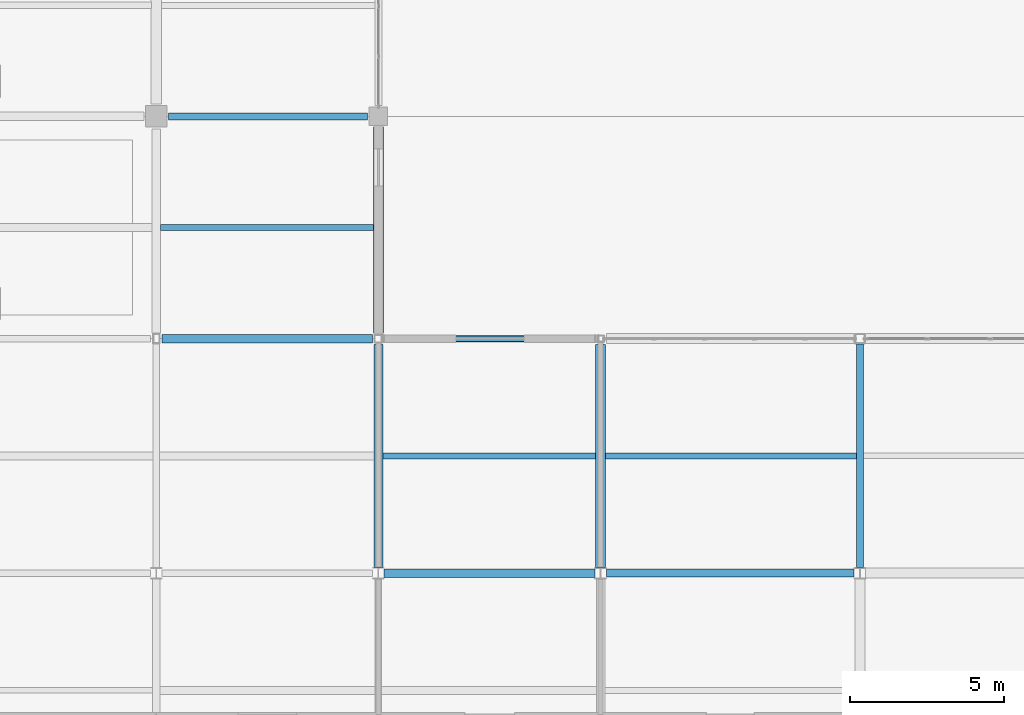
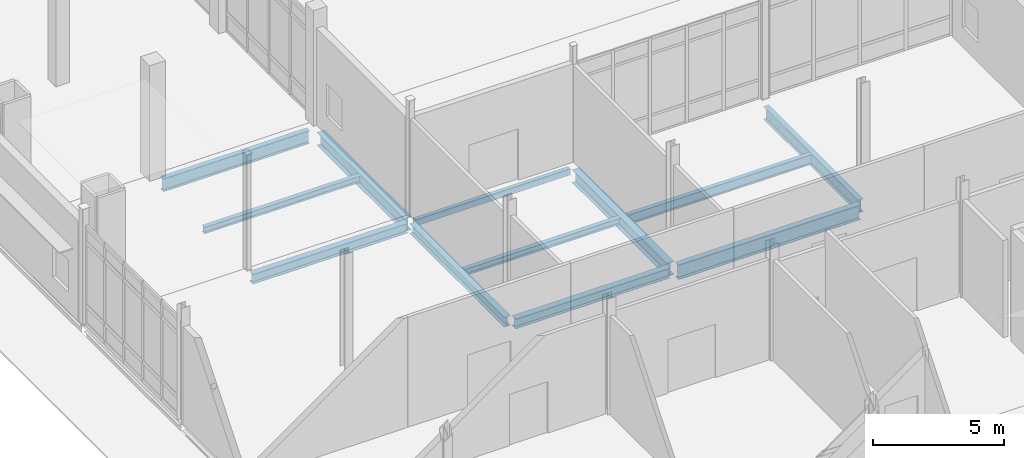
# One storey, part 69 of 229: 12 beams.
"""IFC4 building model written with IfcOpenShell, lengths in metres."""

from ifc_helpers import new_model, si_unit, direction, frame, origin, origin_2d, place, context, subcontext, project, spatial, hollow_rectangle, i_section, extrude, material, material_profile, profile_set, type_object, element, save


model = new_model("IFC4")

# Units and contexts
model_context = context("Model", 3, precision=1e-05, world=origin(), true_north=direction((0.0, 1.0)))
body_context = subcontext(model_context, "Body", "Model", "MODEL_VIEW")
ifc_project = project(units=[si_unit("LENGTHUNIT", "METRE"), si_unit("AREAUNIT", "SQUARE_METRE"), si_unit("VOLUMEUNIT", "CUBIC_METRE"), si_unit("PLANEANGLEUNIT", "RADIAN"), si_unit("MASSUNIT", "GRAM", prefix="KILO")], contexts=[model_context])

# Site, building, storey
site_placement = place(None, origin())
site = spatial("IfcSite", under=ifc_project, at=site_placement, CompositionType="ELEMENT")
building_placement = place(site_placement, origin())
building = spatial("IfcBuilding", under=site, at=building_placement, Name="Calvrana Isthmian Art Gallery", CompositionType="ELEMENT")
storey_placement = place(building_placement, origin())
storey = spatial("IfcBuildingStorey", under=building, at=storey_placement, Name="L00", CompositionType="ELEMENT", Elevation=0.0)

# Beams
ifc_material_1 = material(Name="Steel ASTM A992 Gr 50", Category="steel")
ifc_material_profile_1 = material_profile(ifc_material_1, i_section(OverallWidth=0.279052734375, OverallDepth=0.4619140625, WebThickness=0.0107421875, FlangeThickness=0.017333984375, FilletRadius=0.02001953125, at=origin_2d()), Name="W18X76")
ifc_profile_set_1 = profile_set([ifc_material_profile_1], Name="Steel ASTM A992 Gr 50")
beam_type_1 = type_object("IfcBeamType", Name="BM-G-W18X76", PredefinedType="BEAM", material=ifc_profile_set_1)
beam_1_placement = place(storey_placement, frame((14.58642578125, 62.0, -0.51611328125), z_axis=(1.0, 0.0, 0.0), x_axis=(0.0, 1.0, 0.0)))
element("IfcBeam", 1, at=beam_1_placement, inside=storey, type_object=beam_type_1, Name="Girder X L00 03-04/I", PredefinedType="BEAM", context=body_context, shape_type="SweptSolid", body=[
    extrude(i_section(OverallWidth=0.279052734375, OverallDepth=0.4619140625, WebThickness=0.0107421875, FlangeThickness=0.017333984375, FilletRadius=0.02001953125, at=origin_2d()), origin(), (0.0, 0.0, 1.0), 6.828125),
])
beam_2_placement = place(storey_placement, frame((7.384033203125, 69.60009765625, -0.51611328125), z_axis=(1.0, 0.0, 0.0), x_axis=(0.0, 1.0, 0.0)))
element("IfcBeam", 2, at=beam_2_placement, inside=storey, type_object=beam_type_1, Name="Girder X L00 02-03/J", PredefinedType="BEAM", context=body_context, shape_type="SweptSolid", body=[
    extrude(i_section(OverallWidth=0.279052734375, OverallDepth=0.4619140625, WebThickness=0.0107421875, FlangeThickness=0.017333984375, FilletRadius=0.02001953125, at=origin_2d()), origin(), (0.0, 0.0, 1.0), 6.829345703125),
])
beam_3_placement = place(storey_placement, frame((14.39990234375, 62.18408203125, -0.51611328125), z_axis=(0.0, 1.0, 0.0), x_axis=(-1.0, 0.0, 0.0)))
element("IfcBeam", 3, at=beam_3_placement, inside=storey, type_object=beam_type_1, Name="Girder Y L00 03/I-J", PredefinedType="BEAM", context=body_context, shape_type="SweptSolid", body=[
    extrude(i_section(OverallWidth=0.279052734375, OverallDepth=0.4619140625, WebThickness=0.0107421875, FlangeThickness=0.017333984375, FilletRadius=0.02001953125, at=origin_2d()), origin(), (0.0, 0.0, 1.0), 7.2294921875),
])
ifc_material_profile_2 = material_profile(ifc_material_1, i_section(OverallWidth=0.324951171875, OverallDepth=0.612060546875, WebThickness=0.0126953125, FlangeThickness=0.01904296875, FilletRadius=0.02197265625, at=origin_2d()), Name="W24X104")
ifc_profile_set_2 = profile_set([ifc_material_profile_2], Name="Steel ASTM A992 Gr 50")
beam_type_2 = type_object("IfcBeamType", Name="BM-G-W24X104", PredefinedType="BEAM", material=ifc_profile_set_2)
beam_4_placement = place(storey_placement, frame((14.39990234375, 69.78662109375, -0.591064453125), z_axis=(0.0, 1.0, 0.0), x_axis=(-1.0, 0.0, 0.0)))
element("IfcBeam", 4, at=beam_4_placement, inside=storey, type_object=beam_type_2, Name="Girder Y L00 03/J-K", PredefinedType="BEAM", context=body_context, shape_type="SweptSolid", body=[
    extrude(i_section(OverallWidth=0.324951171875, OverallDepth=0.612060546875, WebThickness=0.0126953125, FlangeThickness=0.01904296875, FilletRadius=0.02197265625, at=origin_2d()), origin(), (0.0, 0.0, 1.0), 6.663330078125),
])
beam_5_placement = place(storey_placement, frame((21.60009765625, 62.181396484375, -0.591064453125), z_axis=(0.0, 1.0, 0.0), x_axis=(-1.0, 0.0, 0.0)))
element("IfcBeam", 5, at=beam_5_placement, inside=storey, type_object=beam_type_2, Name="Girder Y L00 04/I-J", PredefinedType="BEAM", context=body_context, shape_type="SweptSolid", body=[
    extrude(i_section(OverallWidth=0.324951171875, OverallDepth=0.612060546875, WebThickness=0.0126953125, FlangeThickness=0.01904296875, FilletRadius=0.02197265625, at=origin_2d()), origin(), (0.0, 0.0, 1.0), 7.234619140625),
])
ifc_material_profile_3 = material_profile(ifc_material_1, i_section(OverallWidth=0.22802734375, OverallDepth=0.60693359375, WebThickness=0.01123046875, FlangeThickness=0.017333984375, FilletRadius=0.02197265625, at=origin_2d()), Name="W24X76")
ifc_profile_set_3 = profile_set([ifc_material_profile_3], Name="Steel ASTM A992 Gr 50")
beam_type_3 = type_object("IfcBeamType", Name="BM-G-W24X76", PredefinedType="BEAM", material=ifc_profile_set_3)
beam_6_placement = place(storey_placement, frame((7.60009765625, 76.800048828125, -0.58837890625), z_axis=(1.0, 0.0, 0.0), x_axis=(0.0, 1.0, 0.0)))
element("IfcBeam", 6, at=beam_6_placement, inside=storey, type_object=beam_type_3, Name="Girder X L00 02-03/K", PredefinedType="BEAM", context=body_context, shape_type="SweptSolid", body=[
    extrude(i_section(OverallWidth=0.22802734375, OverallDepth=0.60693359375, WebThickness=0.01123046875, FlangeThickness=0.017333984375, FilletRadius=0.02197265625, at=origin_2d()), origin(), (0.0, 0.0, 1.0), 6.449951171875),
])
beam_7_placement = place(storey_placement, frame((30.0, 62.177978515625, -0.58837890625), z_axis=(0.0, 1.0, 0.0), x_axis=(-1.0, 0.0, 0.0)))
element("IfcBeam", 7, at=beam_7_placement, inside=storey, type_object=beam_type_3, Name="Girder Y L00 05/I-J", PredefinedType="BEAM", context=body_context, shape_type="SweptSolid", body=[
    extrude(i_section(OverallWidth=0.22802734375, OverallDepth=0.60693359375, WebThickness=0.01123046875, FlangeThickness=0.017333984375, FilletRadius=0.02197265625, at=origin_2d()), origin(), (0.0, 0.0, 1.0), 7.240478515625),
])
ifc_material_profile_4 = material_profile(ifc_material_1, i_section(OverallWidth=0.257080078125, OverallDepth=0.693115234375, WebThickness=0.014404296875, FlangeThickness=0.023681640625, FilletRadius=0.02392578125, at=origin_2d()), Name="W27X114")
ifc_profile_set_4 = profile_set([ifc_material_profile_4], Name="Steel ASTM A992 Gr 50")
beam_type_4 = type_object("IfcBeamType", Name="BM-G-W27X114", PredefinedType="BEAM", material=ifc_profile_set_4)
beam_8_placement = place(storey_placement, frame((21.785400390625, 62.0, -0.631591796875), z_axis=(1.0, 0.0, 0.0), x_axis=(0.0, 1.0, 0.0)))
element("IfcBeam", 8, at=beam_8_placement, inside=storey, type_object=beam_type_4, Name="Girder X L00 04-05/I", PredefinedType="BEAM", context=body_context, shape_type="SweptSolid", body=[
    extrude(i_section(OverallWidth=0.257080078125, OverallDepth=0.693115234375, WebThickness=0.014404296875, FlangeThickness=0.023681640625, FilletRadius=0.02392578125, at=origin_2d()), origin(), (0.0, 0.0, 1.0), 8.030517578125),
])
ifc_material_profile_5 = material_profile(ifc_material_1, i_section(OverallWidth=0.202880859375, OverallDepth=0.302001953125, WebThickness=0.007568359375, FlangeThickness=0.01318359375, FilletRadius=0.01611328125, at=origin_2d()), Name="W12X40")
ifc_profile_set_5 = profile_set([ifc_material_profile_5], Name="Steel ASTM A992 Gr 50")
beam_type_5 = type_object("IfcBeamType", Name="BM-J-W12X40", PredefinedType="JOIST", material=ifc_profile_set_5)
for number, where, z_axis, x_axis, name in (
    (9, (7.339599609375, 73.199951171875, -0.43603515625), (1.0, 0.0, 0.0), (0.0, 1.0, 0.0), "Composite joist L00 bay 01-09"),
    (10, (14.53955078125, 65.800048828125, -0.43603515625), (1.0, 0.0, 0.0), (0.0, 1.0, 0.0), "Composite joist L00 bay 02-08"),
):
    element("IfcBeam", number, at=place(storey_placement, frame(where, z_axis=z_axis, x_axis=x_axis)), inside=storey, type_object=beam_type_5, Name=name, PredefinedType="JOIST", context=body_context, shape_type="SweptSolid", body=[
        extrude(i_section(OverallWidth=0.202880859375, OverallDepth=0.302001953125, WebThickness=0.007568359375, FlangeThickness=0.01318359375, FilletRadius=0.01611328125, at=origin_2d()), origin(), (0.0, 0.0, 1.0), 6.89794921875),
    ])
ifc_material_profile_6 = material_profile(ifc_material_1, i_section(OverallWidth=0.19091796875, OverallDepth=0.45703125, WebThickness=0.009033203125, FlangeThickness=0.014404296875, FilletRadius=0.02001953125, at=origin_2d()), Name="W18X50")
ifc_profile_set_6 = profile_set([ifc_material_profile_6], Name="Steel ASTM A992 Gr 50")
beam_type_6 = type_object("IfcBeamType", Name="BM-J-W18X50", PredefinedType="JOIST", material=ifc_profile_set_6)
beam_9_placement = place(storey_placement, frame((21.762451171875, 65.800048828125, -0.513427734375), z_axis=(1.0, 0.0, 0.0), x_axis=(0.0, 1.0, 0.0)))
element("IfcBeam", 11, at=beam_9_placement, inside=storey, type_object=beam_type_6, Name="Composite joist L00 bay 03-08", PredefinedType="JOIST", context=body_context, shape_type="SweptSolid", body=[
    extrude(i_section(OverallWidth=0.19091796875, OverallDepth=0.45703125, WebThickness=0.009033203125, FlangeThickness=0.014404296875, FilletRadius=0.02001953125, at=origin_2d()), origin(), (0.0, 0.0, 1.0), 8.12353515625),
])
ifc_material_2 = material(Name="Steel ASTM A500 Gr C", Category="steel")
ifc_material_profile_7 = material_profile(ifc_material_2, hollow_rectangle(XDim=0.203125, YDim=0.3046875, WallThickness=0.0126953125, OuterFilletRadius=0.02490234375, at=origin_2d()), Name="HSS305X203X12.7")
ifc_profile_set_7 = profile_set([ifc_material_profile_7], Name="Steel ASTM A500 Gr C")
beam_type_7 = type_object("IfcBeamType", Name="BM-SP-HSS305", PredefinedType="SPANDREL", material=ifc_profile_set_7)
beam_10_placement = place(storey_placement, frame((14.58642578125, 69.60009765625, -0.4375), z_axis=(1.0, 0.0, 0.0), x_axis=(0.0, 1.0, 0.0)))
element("IfcBeam", 12, at=beam_10_placement, inside=storey, type_object=beam_type_7, Name="Girder X L00 03-04/J", PredefinedType="SPANDREL", context=body_context, shape_type="SweptSolid", body=[
    extrude(hollow_rectangle(XDim=0.203125, YDim=0.3046875, WallThickness=0.0126953125, OuterFilletRadius=0.02490234375, at=origin_2d()), origin(), (0.0, 0.0, 1.0), 6.8271484375),
])

save(model, "model.ifc")
